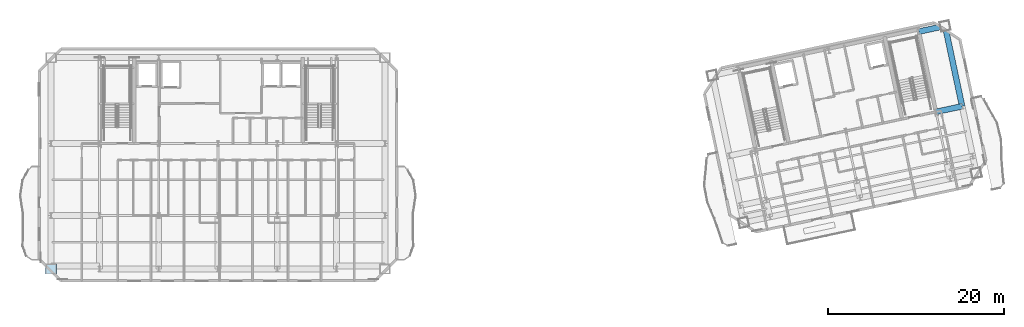
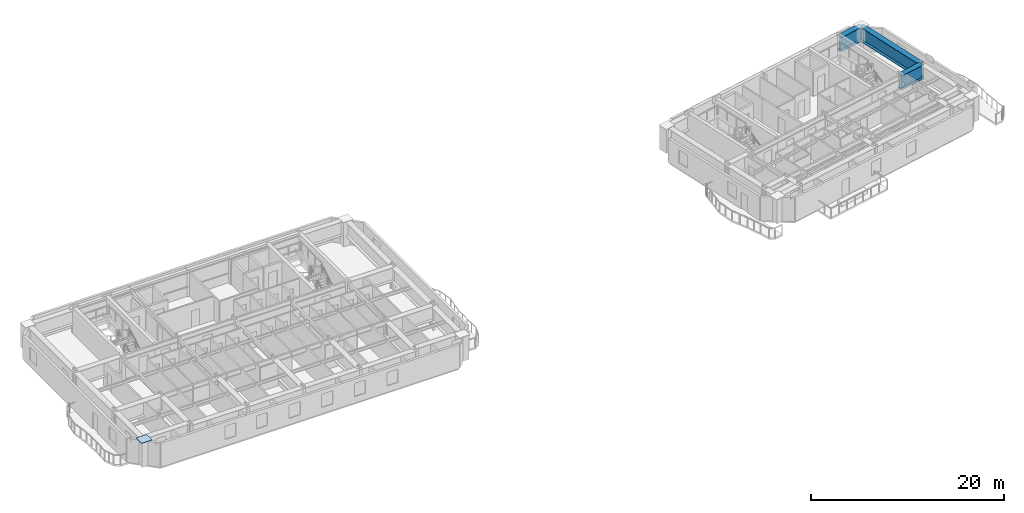
# One storey, part 4 of 16: 3 beams, 1 plate.
"""IFC4 building model written with IfcOpenShell, lengths in metres."""

from ifc_helpers import new_model, si_unit, direction, frame, origin, origin_2d, place, context, subcontext, project, spatial, rectangle, i_section, extrude, material, layer, layer_set, material_profile, profile_set, type_object, element, save


model = new_model("IFC4")

# Units and contexts
model_context = context("Model", 3, precision=1e-05, world=origin(), true_north=direction((0.0, 1.0)))
body_context = subcontext(model_context, "Body", "Model", "MODEL_VIEW")
ifc_project = project(units=[si_unit("LENGTHUNIT", "METRE"), si_unit("AREAUNIT", "SQUARE_METRE"), si_unit("VOLUMEUNIT", "CUBIC_METRE"), si_unit("PLANEANGLEUNIT", "RADIAN"), si_unit("MASSUNIT", "GRAM", prefix="KILO")], contexts=[model_context])

# Site, building, storey
site_placement = place(None, origin())
site = spatial("IfcSite", under=ifc_project, at=site_placement, CompositionType="ELEMENT")
building_placement = place(site_placement, origin())
building = spatial("IfcBuilding", under=site, at=building_placement, Name="Haevon Station Towers", CompositionType="ELEMENT")
storey_placement = place(building_placement, frame((0.0, 0.0, 215.39990234375)))
storey = spatial("IfcBuildingStorey", under=building, at=storey_placement, Name="L59", CompositionType="ELEMENT", Elevation=215.39990234375)

# Beams
ifc_material_1 = material(Name="Steel S460", Category="steel")
ifc_material_profile = material_profile(ifc_material_1, i_section(OverallWidth=0.64990234375, OverallDepth=1.800048828125, WebThickness=0.02490234375, FlangeThickness=0.0400390625, at=origin_2d()), Name="H-1800x650x25x40")
ifc_profile_set = profile_set([ifc_material_profile], Name="Steel S460")
beam_type = type_object("IfcBeamType", Name="BM-TG1800", PredefinedType="BEAM", material=ifc_profile_set)
for number, where, z_axis, x_axis, name in (
    (1, (119.29345703125, 41.80859375, 2.150146484375), (0.978154782045, 0.207877902534, 0.0), (-0.207877902534, 0.978154782045, 0.0), "BM-T2U-L59-03-04"),
    (2, (117.349365234375, 50.954345703125, 2.150146484375), (0.978154782045, 0.207877902534, 0.0), (-0.207877902534, 0.978154782045, 0.0), "BM-T2U-L59-04-04"),
):
    element("IfcBeam", number, at=place(storey_placement, frame(where, z_axis=z_axis, x_axis=x_axis)), inside=storey, type_object=beam_type, Name=name, PredefinedType="BEAM", context=body_context, shape_type="SweptSolid", body=[
        extrude(i_section(OverallWidth=0.64990234375, OverallDepth=1.800048828125, WebThickness=0.02490234375, FlangeThickness=0.0400390625, at=origin_2d()), origin(), (0.0, 0.0, 1.0), 3.050048828125),
    ])
beam_placement = place(storey_placement, frame((122.27685546875, 42.442626953125, 2.150146484375), z_axis=(-0.207922149488, 0.978145377616, 0.0), x_axis=(-0.978145377616, -0.207922149488, 0.0)))
element("IfcBeam", 3, at=beam_placement, inside=storey, type_object=beam_type, Name="BM-T2V-L59-05-03", PredefinedType="BEAM", context=body_context, shape_type="SweptSolid", body=[
    extrude(i_section(OverallWidth=0.64990234375, OverallDepth=1.800048828125, WebThickness=0.02490234375, FlangeThickness=0.0400390625, at=origin_2d()), origin(), (0.0, 0.0, 1.0), 9.35009765625),
])

# Plate
ifc_material_2 = material(Name="PL-FLG1", Category="steel")
ifc_layer = layer(ifc_material_2, 0.044921875)
ifc_layer_set = layer_set([ifc_layer], Name="PL-FLG1")
plate_type = type_object("IfcPlateType", Name="PL-FLG1", PredefinedType="USERDEFINED", material=ifc_layer_set)
plate_placement = place(storey_placement, frame((18.47509765625, 23.89990234375, 3.050048828125), z_axis=(0.0, 0.0, 1.0), x_axis=(1.0, 0.0, 0.0)))
element("IfcPlate", 4, at=plate_placement, inside=storey, type_object=plate_type, Name="PL-CAP-T1-L59-01-01", ObjectType="FLANGE_PLATE", PredefinedType="USERDEFINED", context=body_context, shape_type="SweptSolid", body=[
    extrude(rectangle(XDim=1.239990234375, YDim=1.139892578125, at=origin_2d()), origin(), (0.0, 0.0, 1.0), 0.0400390625),
])

save(model, "model.ifc")
